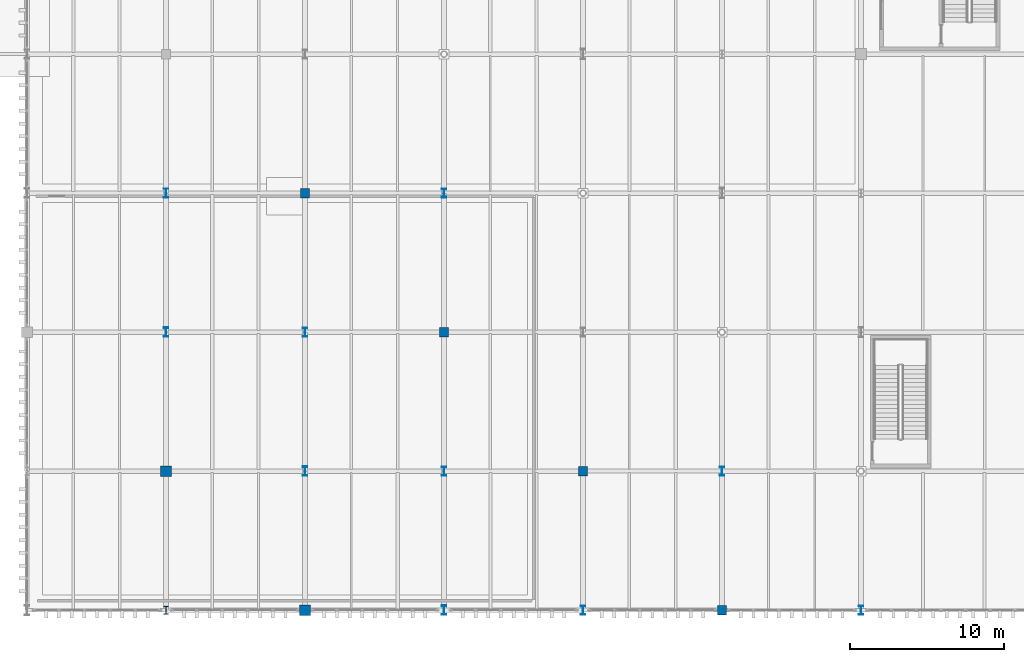
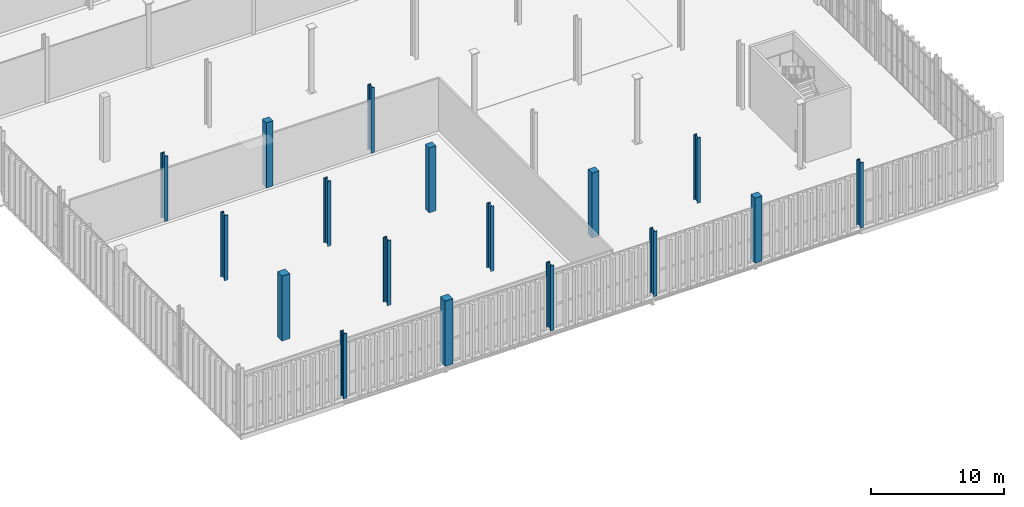
# One storey, part 13 of 211: 17 columns.
"""IFC4 building model written with IfcOpenShell, lengths in metres."""

from ifc_helpers import new_model, si_unit, direction, frame, origin, origin_2d, place, context, subcontext, project, spatial, rectangle, i_section, extrude, material, material_profile, profile_set, type_object, element, save


model = new_model("IFC4")

# Units and contexts
model_context = context("Model", 3, precision=1e-05, world=origin(), true_north=direction((0.0, 1.0)))
body_context = subcontext(model_context, "Body", "Model", "MODEL_VIEW")
ifc_project = project(units=[si_unit("LENGTHUNIT", "METRE"), si_unit("AREAUNIT", "SQUARE_METRE"), si_unit("VOLUMEUNIT", "CUBIC_METRE"), si_unit("PLANEANGLEUNIT", "RADIAN"), si_unit("MASSUNIT", "GRAM", prefix="KILO")], contexts=[model_context])

# Site, building, storey
site_placement = place(None, origin())
site = spatial("IfcSite", under=ifc_project, at=site_placement, CompositionType="ELEMENT")
building_placement = place(site_placement, origin())
building = spatial("IfcBuilding", under=site, at=building_placement, Name="Barlavento Convention Centre", CompositionType="ELEMENT")
storey_placement = place(building_placement, frame((0.0, 0.0, 6.0)))
storey = spatial("IfcBuildingStorey", under=building, at=storey_placement, Name="L01", CompositionType="ELEMENT", Elevation=6.0)

# Columns
ifc_material_1 = material(Name="Steel S355", Category="steel")
ifc_material_profile_1 = material_profile(ifc_material_1, i_section(OverallWidth=0.300048828125, OverallDepth=0.60009765625, WebThickness=0.015380859375, FlangeThickness=0.030029296875, FilletRadius=0.027099609375, at=origin_2d()), Name="HEB 600")
ifc_profile_set_1 = profile_set([ifc_material_profile_1], Name="Steel S355")
column_type_1 = type_object("IfcColumnType", Name="STR-COL-HEB600", PredefinedType="COLUMN", material=ifc_profile_set_1)
for number, where, z_axis, x_axis, name in (
    (1, (135.0, 27.0, 0.0), (0.0, 0.0, 1.0), (1.0, 0.0, 0.0), "L01 column SC08"),
    (2, (144.0, 18.0, 0.0), (0.0, 0.0, 1.0), (1.0, 0.0, 0.0), "L01 column SC08"),
    (3, (153.0, 9.0, 0.0), (0.0, 0.0, 1.0), (1.0, 0.0, 0.0), "L01 column SC08"),
    (4, (162.0, 0.0, 0.0), (0.0, 0.0, 1.0), (1.0, 0.0, 0.0), "L01 column SC08"),
):
    element("IfcColumn", number, at=place(storey_placement, frame(where, z_axis=z_axis, x_axis=x_axis)), inside=storey, type_object=column_type_1, Name=name, PredefinedType="COLUMN", context=body_context, shape_type="SweptSolid", body=[
        extrude(i_section(OverallWidth=0.300048828125, OverallDepth=0.60009765625, WebThickness=0.015380859375, FlangeThickness=0.030029296875, FilletRadius=0.027099609375, at=origin_2d()), origin(), (0.0, 0.0, 1.0), 6.0),
    ])
ifc_material_profile_2 = material_profile(ifc_material_1, i_section(OverallWidth=0.305908203125, OverallDepth=0.52392578125, WebThickness=0.02099609375, FlangeThickness=0.0400390625, FilletRadius=0.027099609375, at=origin_2d()), Name="HEM 500")
ifc_profile_set_2 = profile_set([ifc_material_profile_2], Name="Steel S355")
column_type_2 = type_object("IfcColumnType", Name="STR-COL-HEM500", PredefinedType="COLUMN", material=ifc_profile_set_2)
column_placement = place(storey_placement, frame((135.0, 0.0, 0.0), z_axis=(0.0, 0.0, 1.0), x_axis=(1.0, 0.0, 0.0)))
element("IfcColumn", 5, at=column_placement, inside=storey, type_object=column_type_2, Name="L01 column SC07", PredefinedType="COLUMN", context=body_context, shape_type="SweptSolid", body=[
    extrude(i_section(OverallWidth=0.305908203125, OverallDepth=0.52392578125, WebThickness=0.02099609375, FlangeThickness=0.0400390625, FilletRadius=0.027099609375, at=origin_2d()), origin(), (0.0, 0.0, 1.0), 6.0),
])
ifc_material_profile_3 = material_profile(ifc_material_1, i_section(OverallWidth=0.305908203125, OverallDepth=0.572021484375, WebThickness=0.02099609375, FlangeThickness=0.0400390625, FilletRadius=0.027099609375, at=origin_2d()), Name="HEM 550")
ifc_profile_set_3 = profile_set([ifc_material_profile_3], Name="Steel S355")
column_type_3 = type_object("IfcColumnType", Name="STR-COL-HEM550", PredefinedType="COLUMN", material=ifc_profile_set_3)
for number, where, z_axis, x_axis, name in (
    (6, (153.0, 27.0, 0.0), (0.0, 0.0, 1.0), (1.0, 0.0, 0.0), "L01 column SC06"),
    (7, (171.0, 9.0, 0.0), (0.0, 0.0, 1.0), (1.0, 0.0, 0.0), "L01 column SC06"),
    (8, (180.0, 0.0, 0.0), (0.0, 0.0, 1.0), (1.0, 0.0, 0.0), "L01 column SC06"),
):
    element("IfcColumn", number, at=place(storey_placement, frame(where, z_axis=z_axis, x_axis=x_axis)), inside=storey, type_object=column_type_3, Name=name, PredefinedType="COLUMN", context=body_context, shape_type="SweptSolid", body=[
        extrude(i_section(OverallWidth=0.305908203125, OverallDepth=0.572021484375, WebThickness=0.02099609375, FlangeThickness=0.0400390625, FilletRadius=0.027099609375, at=origin_2d()), origin(), (0.0, 0.0, 1.0), 6.0),
    ])
ifc_material_profile_4 = material_profile(ifc_material_1, i_section(OverallWidth=0.304931640625, OverallDepth=0.6201171875, WebThickness=0.02099609375, FlangeThickness=0.0400390625, FilletRadius=0.027099609375, at=origin_2d()), Name="HEM 600")
ifc_profile_set_4 = profile_set([ifc_material_profile_4], Name="Steel S355")
column_type_4 = type_object("IfcColumnType", Name="STR-COL-HEM600", PredefinedType="COLUMN", material=ifc_profile_set_4)
for number, where, z_axis, x_axis, name in (
    (9, (135.0, 18.0, 0.0), (0.0, 0.0, 1.0), (1.0, 0.0, 0.0), "L01 column SC05"),
    (10, (144.0, 9.0, 0.0), (0.0, 0.0, 1.0), (1.0, 0.0, 0.0), "L01 column SC05"),
    (11, (153.0, 0.0, 0.0), (0.0, 0.0, 1.0), (1.0, 0.0, 0.0), "L01 column SC05"),
):
    element("IfcColumn", number, at=place(storey_placement, frame(where, z_axis=z_axis, x_axis=x_axis)), inside=storey, type_object=column_type_4, Name=name, PredefinedType="COLUMN", context=body_context, shape_type="SweptSolid", body=[
        extrude(i_section(OverallWidth=0.304931640625, OverallDepth=0.6201171875, WebThickness=0.02099609375, FlangeThickness=0.0400390625, FilletRadius=0.027099609375, at=origin_2d()), origin(), (0.0, 0.0, 1.0), 6.0),
    ])
ifc_material_2 = material(Name="Concrete C40/50", Category="concrete")
ifc_material_profile_5 = material_profile(ifc_material_2, rectangle(XDim=0.60009765625, YDim=0.60009765625, at=origin_2d()), Name="RC 600x600")
ifc_profile_set_5 = profile_set([ifc_material_profile_5], Name="Concrete C40/50")
column_type_5 = type_object("IfcColumnType", Name="STR-COL-RC600", PredefinedType="COLUMN", material=ifc_profile_set_5)
for number, where, z_axis, x_axis, name in (
    (12, (144.0, 27.0, 0.0), (0.0, 0.0, 1.0), (1.0, 0.0, 0.0), "L01 column CC07"),
    (13, (153.0, 18.0, 0.0), (0.0, 0.0, 1.0), (1.0, 0.0, 0.0), "L01 column CC07"),
    (14, (162.0, 9.0, 0.0), (0.0, 0.0, 1.0), (1.0, 0.0, 0.0), "L01 column CC07"),
    (15, (171.0, 0.0, 0.0), (0.0, 0.0, 1.0), (1.0, 0.0, 0.0), "L01 column CC07"),
):
    element("IfcColumn", number, at=place(storey_placement, frame(where, z_axis=z_axis, x_axis=x_axis)), inside=storey, type_object=column_type_5, Name=name, PredefinedType="COLUMN", context=body_context, shape_type="SweptSolid", body=[
        extrude(rectangle(XDim=0.60009765625, YDim=0.60009765625, at=origin_2d()), origin(), (0.0, 0.0, 1.0), 6.0),
    ])
ifc_material_profile_6 = material_profile(ifc_material_2, rectangle(XDim=0.699951171875, YDim=0.699951171875, at=origin_2d()), Name="RC 700x700")
ifc_profile_set_6 = profile_set([ifc_material_profile_6], Name="Concrete C40/50")
column_type_6 = type_object("IfcColumnType", Name="STR-COL-RC700", PredefinedType="COLUMN", material=ifc_profile_set_6)
for number, where, z_axis, x_axis, name in (
    (16, (135.0, 9.0, 0.0), (0.0, 0.0, 1.0), (1.0, 0.0, 0.0), "L01 column CC06"),
    (17, (144.0, 0.0, 0.0), (0.0, 0.0, 1.0), (1.0, 0.0, 0.0), "L01 column CC06"),
):
    element("IfcColumn", number, at=place(storey_placement, frame(where, z_axis=z_axis, x_axis=x_axis)), inside=storey, type_object=column_type_6, Name=name, PredefinedType="COLUMN", context=body_context, shape_type="SweptSolid", body=[
        extrude(rectangle(XDim=0.699951171875, YDim=0.699951171875, at=origin_2d()), origin(), (0.0, 0.0, 1.0), 6.0),
    ])

save(model, "model.ifc")
